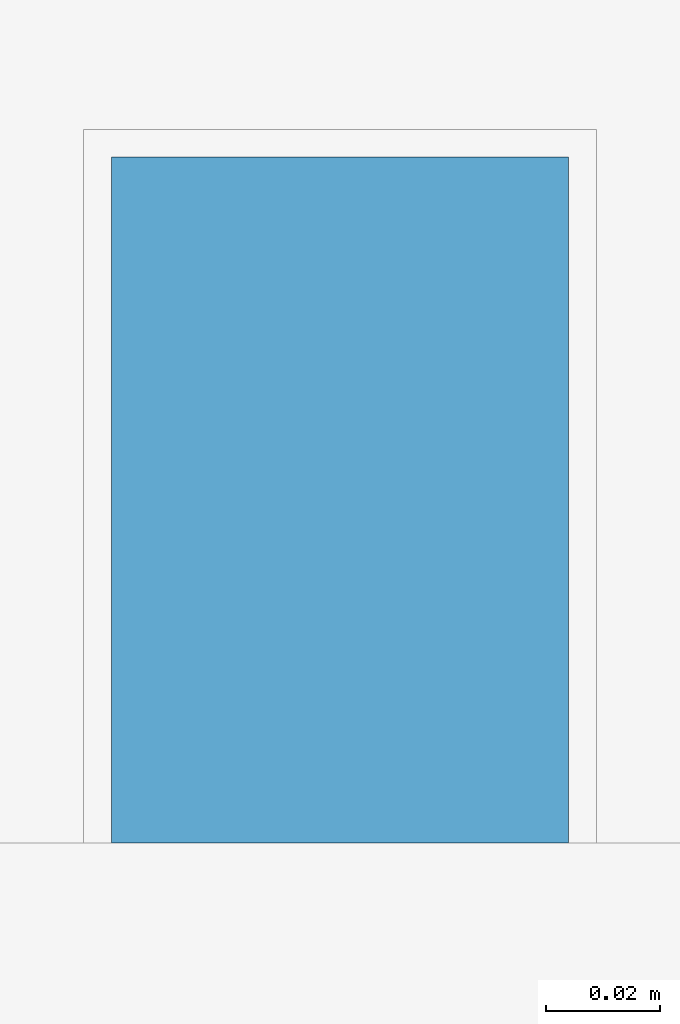
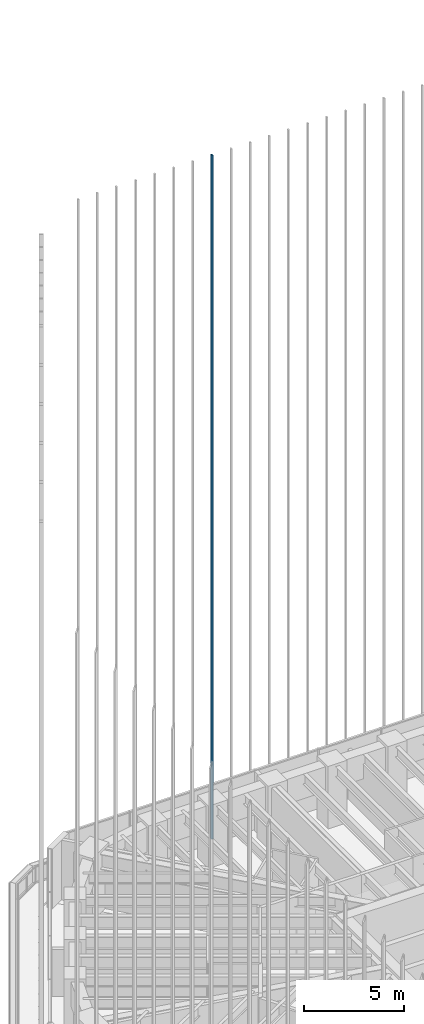
# One storey, part 75 of 127: 1 member, 1 element without a shape of its own.
"""IFC4 building model written with IfcOpenShell, lengths in metres."""

from ifc_helpers import new_model, si_unit, direction, frame, origin, origin_2d, place, context, subcontext, project, spatial, rectangle, extrude, material, material_profile, profile_set, type_object, element, aggregate, save


model = new_model("IFC4")

# Units and contexts
model_context = context("Model", 3, precision=1e-05, world=origin(), true_north=direction((0.0, 1.0)))
body_context = subcontext(model_context, "Body", "Model", "MODEL_VIEW")
ifc_project = project(units=[si_unit("LENGTHUNIT", "METRE"), si_unit("AREAUNIT", "SQUARE_METRE"), si_unit("VOLUMEUNIT", "CUBIC_METRE"), si_unit("PLANEANGLEUNIT", "RADIAN"), si_unit("MASSUNIT", "GRAM", prefix="KILO")], contexts=[model_context])

# Site, building, storey
site_placement = place(None, origin())
site = spatial("IfcSite", under=ifc_project, at=site_placement, CompositionType="ELEMENT")
building_placement = place(site_placement, origin())
building = spatial("IfcBuilding", under=site, at=building_placement, Name="Sandreach Pilgrim Tower", CompositionType="ELEMENT")
storey_placement = place(building_placement, frame((0.0, 0.0, 257.0)))
storey = spatial("IfcBuildingStorey", under=building, at=storey_placement, Name="L64", CompositionType="ELEMENT", Elevation=257.0)

# Curtain wall, member
ifc_material_1 = material(Name="Aluminium framed curtain wall", Category="aluminium")
curtain_wall_type = type_object("IfcCurtainWallType", Name="Suite tower curtain wall", PredefinedType="NOTDEFINED", material=ifc_material_1)
curtain_wall_placement = place(storey_placement, origin())
curtain_wall = element("IfcCurtainWall", 1, at=curtain_wall_placement, inside=storey, type_object=curtain_wall_type, Name="CW-4 L64 N", PredefinedType="NOTDEFINED")
ifc_material_2 = material(Name="Extruded terracotta on aluminium core", Category="masonry")
ifc_material_profile = material_profile(ifc_material_2, rectangle(XDim=0.080078125, YDim=0.1201171875, at=origin_2d()), Name="TBN 80X120")
ifc_profile_set = profile_set([ifc_material_profile], Name="Extruded terracotta on aluminium core")
member_type = type_object("IfcMemberType", Name="Terracotta baguette north", PredefinedType="USERDEFINED", material=ifc_profile_set)
member_placement = place(storey_placement, frame((-7.702880859375, 20.1865234375, 0.0), z_axis=(0.0, 0.0, 1.0), x_axis=(1.0, 0.0, 0.0)))
member = element("IfcMember", 2, at=member_placement, type_object=member_type, Name="Baguette Z4 N08", ObjectType="BAGUETTE", PredefinedType="USERDEFINED", context=body_context, shape_type="SweptSolid", body=[
    extrude(rectangle(XDim=0.080078125, YDim=0.1201171875, at=origin_2d()), origin(), (0.0, 0.0, 1.0), 41.639892578125),
])
aggregate(curtain_wall, [member])

save(model, "model.ifc")
